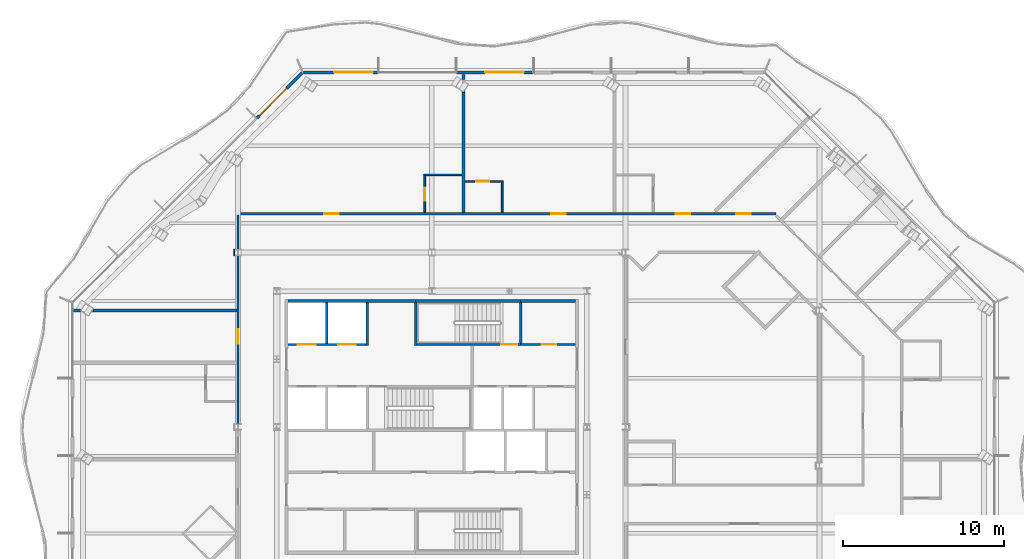
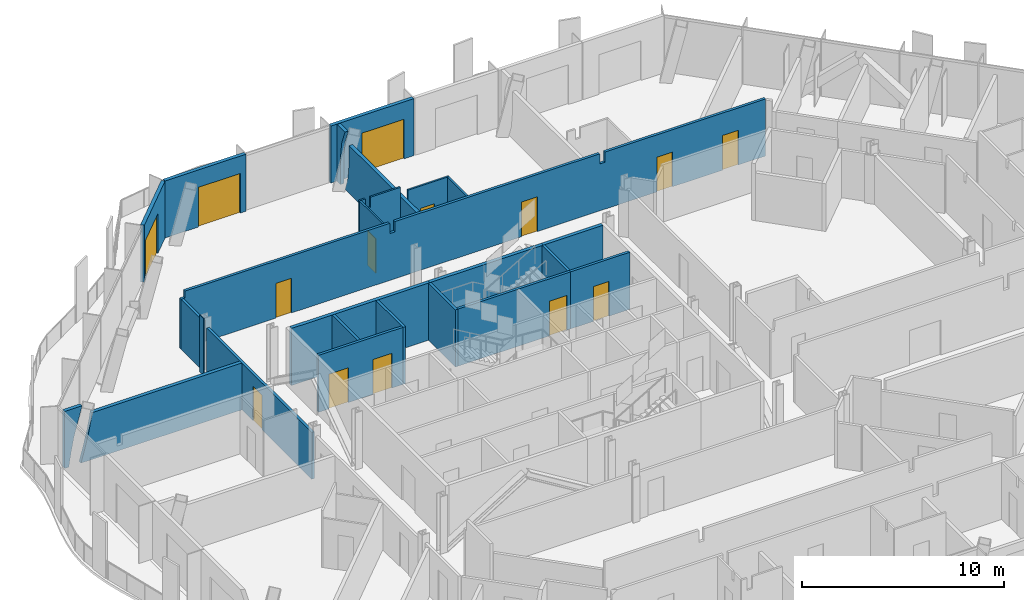
# One storey, part 12 of 19: 25 walls, 14 doors, 14 openings.
"""IFC4 building model written with IfcOpenShell, lengths in metres."""

from ifc_helpers import new_model, si_unit, direction, frame, frame_2d, origin, place, context, subcontext, project, spatial, polyline, rectangle, outline, extrude, material, layer, layer_set, type_object, element, fill, save


model = new_model("IFC4")

# Units and contexts
model_context = context("Model", 3, precision=1e-05, world=origin(), true_north=direction((0.0, 1.0)))
body_context = subcontext(model_context, "Body", "Model", "MODEL_VIEW")
ifc_project = project(units=[si_unit("LENGTHUNIT", "METRE"), si_unit("AREAUNIT", "SQUARE_METRE"), si_unit("VOLUMEUNIT", "CUBIC_METRE"), si_unit("PLANEANGLEUNIT", "RADIAN"), si_unit("MASSUNIT", "GRAM", prefix="KILO")], contexts=[model_context])

# Site, building, storey
site_placement = place(None, origin())
site = spatial("IfcSite", under=ifc_project, at=site_placement, CompositionType="ELEMENT")
building_placement = place(site_placement, origin())
building = spatial("IfcBuilding", under=site, at=building_placement, Name="Cairn Pilgrim Tower", CompositionType="ELEMENT")
storey_placement = place(building_placement, frame((0.0, 0.0, 193.800048828125)))
storey = spatial("IfcBuildingStorey", under=building, at=storey_placement, Name="L49", CompositionType="ELEMENT", Elevation=193.800048828125)

# Wall, opening, door
ifc_material_1 = material(Name="Bronze anodised aluminium insulated sandwich panel with mineral wool fill", Category="aluminium")
ifc_layer_1 = layer(ifc_material_1, 0.199951171875)
ifc_layer_set_1 = layer_set([ifc_layer_1], Name="BRONZE INFILL FRAME WALL 200")
wall_type_1 = type_object("IfcWallType", Name="BRONZE INFILL FRAME WALL 200", PredefinedType="NOTDEFINED", material=ifc_layer_set_1)
wall_1_placement = place(storey_placement, frame((13.469970703125, 24.35009765625, 0.0), z_axis=(0.0, 0.0, 1.0), x_axis=(-1.0, 0.0, 0.0)))
wall_1 = element("IfcWall", 1, at=wall_1_placement, inside=storey, type_object=wall_type_1, Name="Bronze infill frame wall IW-N4", PredefinedType="NOTDEFINED", context=body_context, shape_type="SweptSolid", body=[
    extrude(rectangle(XDim=4.739990234375, YDim=0.199951171875, at=frame_2d((2.3701171875, 0.0))), origin(), (0.0, 0.0, 1.0), 3.449951171875),
])
opening_1_placement = place(wall_1_placement, frame((0.56982421875, 0.0, 0.0)))
opening_1 = element("IfcOpeningElement", 2, at=opening_1_placement, cuts=wall_1, Name="Opening 4911B2", PredefinedType="OPENING", context=body_context, shape_type="SweptSolid", body=[
    extrude(rectangle(XDim=2.39990234375, YDim=2.39990234375, at=frame_2d((1.199951171875, 1.199951171875))), frame((0.0, 0.10986328125, 0.0), z_axis=(0.0, -1.0, 0.0), x_axis=(1.0, 0.0, 0.0)), (0.0, 0.0, 1.0), 0.219970703125),
])
ifc_material_2 = material(Name="Bronze anodised aluminium frame with tinted low-E glass", Category="aluminium")
door_type_1 = type_object("IfcDoorType", Name="BALCONY SLIDING DOOR 2400x2400", OperationType="DOUBLE_DOOR_SLIDING", PredefinedType="DOOR", material=ifc_material_2)
door_1_placement = place(opening_1_placement, origin())
door_1 = element("IfcDoor", 3, at=door_1_placement, inside=storey, type_object=door_type_1, Name="Balcony sliding door 4911B2", OperationType="SINGLE_SWING_LEFT", OverallHeight=2.39990234375, OverallWidth=2.39990234375, PredefinedType="DOOR", context=body_context, shape_type="SweptSolid", body=[
    extrude(rectangle(XDim=2.39990234375, YDim=2.39990234375, at=frame_2d((1.199951171875, 1.199951171875))), frame((0.0, 0.02490234375, 0.0), z_axis=(0.0, -1.0, 0.0), x_axis=(1.0, 0.0, 0.0)), (0.0, 0.0, 1.0), 0.050048828125),
])
fill(opening_1, door_1)

wall_2_placement = place(storey_placement, frame((3.8701171875, 24.35009765625, 0.0), z_axis=(0.0, 0.0, 1.0), x_axis=(-1.0, 0.0, 0.0)))
wall_2 = element("IfcWall", 4, at=wall_2_placement, inside=storey, type_object=wall_type_1, Name="Bronze infill frame wall IW-N6", PredefinedType="NOTDEFINED", context=body_context, shape_type="SweptSolid", body=[
    extrude(rectangle(XDim=4.62646484375, YDim=0.199951171875, at=frame_2d((2.313232421875, 0.0))), origin(), (0.0, 0.0, 1.0), 3.449951171875),
])
opening_2_placement = place(wall_2_placement, frame((0.318115234375, 0.0, 0.0)))
opening_2 = element("IfcOpeningElement", 5, at=opening_2_placement, cuts=wall_2, Name="Opening 4912B", PredefinedType="OPENING", context=body_context, shape_type="SweptSolid", body=[
    extrude(rectangle(XDim=2.39990234375, YDim=2.39990234375, at=frame_2d((1.199951171875, 1.199951171875))), frame((0.0, 0.10986328125, 0.0), z_axis=(0.0, -1.0, 0.0), x_axis=(1.0, 0.0, 0.0)), (0.0, 0.0, 1.0), 0.219970703125),
])
door_2_placement = place(opening_2_placement, origin())
door_2 = element("IfcDoor", 6, at=door_2_placement, inside=storey, type_object=door_type_1, Name="Balcony sliding door 4912B", OperationType="SINGLE_SWING_LEFT", OverallHeight=2.39990234375, OverallWidth=2.39990234375, PredefinedType="DOOR", context=body_context, shape_type="SweptSolid", body=[
    extrude(rectangle(XDim=2.39990234375, YDim=2.39990234375, at=frame_2d((1.199951171875, 1.199951171875))), frame((0.0, 0.02490234375, 0.0), z_axis=(0.0, -1.0, 0.0), x_axis=(1.0, 0.0, 0.0)), (0.0, 0.0, 1.0), 0.050048828125),
])
fill(opening_2, door_2)

wall_3_placement = place(storey_placement, frame((-0.82470703125, 24.32177734375, 0.0), z_axis=(0.0, 0.0, 1.0), x_axis=(-0.707106781187, -0.707106781187, 0.0)))
wall_3 = element("IfcWall", 7, at=wall_3_placement, inside=storey, type_object=wall_type_1, Name="Bronze infill frame wall IW-NW1", PredefinedType="NOTDEFINED", context=body_context, shape_type="SweptSolid", body=[
    extrude(rectangle(XDim=3.961669921875, YDim=0.199951171875, at=frame_2d((1.98095703125, 0.0))), origin(), (0.0, 0.0, 1.0), 3.449951171875),
])
opening_3_placement = place(wall_3_placement, frame((1.361572265625, 0.0, 0.0)))
opening_3 = element("IfcOpeningElement", 8, at=opening_3_placement, cuts=wall_3, Name="Opening 4912B2", PredefinedType="OPENING", context=body_context, shape_type="SweptSolid", body=[
    extrude(rectangle(XDim=2.39990234375, YDim=2.39990234375, at=frame_2d((1.199951171875, 1.199951171875))), frame((0.0, 0.10986328125, 0.0), z_axis=(0.0, -1.0, 0.0), x_axis=(1.0, 0.0, 0.0)), (0.0, 0.0, 1.0), 0.219970703125),
])
door_3_placement = place(opening_3_placement, origin())
door_3 = element("IfcDoor", 9, at=door_3_placement, inside=storey, type_object=door_type_1, Name="Balcony sliding door 4912B2", OperationType="SINGLE_SWING_LEFT", OverallHeight=2.39990234375, OverallWidth=2.39990234375, PredefinedType="DOOR", context=body_context, shape_type="SweptSolid", body=[
    extrude(rectangle(XDim=2.39990234375, YDim=2.39990234375, at=frame_2d((1.199951171875, 1.199951171875))), frame((0.0, 0.02490234375, 0.0), z_axis=(0.0, -1.0, 0.0), x_axis=(1.0, 0.0, 0.0)), (0.0, 0.0, 1.0), 0.050048828125),
])
fill(opening_3, door_3)

# Walls
ifc_material_3 = material(Name="Concrete C32/40", Category="concrete")
ifc_layer_2 = layer(ifc_material_3, 0.199951171875)
ifc_layer_set_2 = layer_set([ifc_layer_2], Name="CORE OUTER WALL 200 EI 120")
wall_type_2 = type_object("IfcWallType", Name="CORE OUTER WALL 200 EI 120", PredefinedType="SOLIDWALL", material=ifc_layer_set_2)
wall_4_placement = place(storey_placement, frame((-1.699951171875, 10.199951171875, 0.0), z_axis=(0.0, 0.0, 1.0), x_axis=(1.0, 0.0, 0.0)))
element("IfcWall", 10, at=wall_4_placement, inside=storey, type_object=wall_type_2, Name="CW:L49:H12-1", PredefinedType="SOLIDWALL", context=body_context, shape_type="SweptSolid", body=[
    extrude(rectangle(XDim=7.89990234375, YDim=0.199951171875, at=frame_2d((3.949951171875, 0.0))), origin(), (0.0, 0.0, 1.0), 3.449951171875),
])
wall_5_placement = place(storey_placement, frame((12.699951171875, 10.199951171875, 0.0), z_axis=(0.0, 0.0, 1.0), x_axis=(1.0, 0.0, 0.0)))
element("IfcWall", 11, at=wall_5_placement, inside=storey, type_object=wall_type_2, Name="CW:L49:H12-3", PredefinedType="SOLIDWALL", context=body_context, shape_type="SweptSolid", body=[
    extrude(rectangle(XDim=3.400146484375, YDim=0.199951171875, at=frame_2d((1.7001953125, 0.0))), origin(), (0.0, 0.0, 1.0), 3.449951171875),
])

# Wall, openings, doors
ifc_layer_3 = layer(ifc_material_3, 0.14990234375)
ifc_layer_set_3 = layer_set([ifc_layer_3], Name="CORE SHAFT WALL 150 EI 120")
wall_type_3 = type_object("IfcWallType", Name="CORE SHAFT WALL 150 EI 120", PredefinedType="SOLIDWALL", material=ifc_layer_set_3)
wall_6_placement = place(storey_placement, frame((-1.699951171875, 7.5, 0.0), z_axis=(0.0, 0.0, 1.0), x_axis=(1.0, 0.0, 0.0)))
wall_6 = element("IfcWall", 12, at=wall_6_placement, inside=storey, type_object=wall_type_3, Name="CW:L49:H10", PredefinedType="SOLIDWALL", context=body_context, shape_type="SweptSolid", body=[
    extrude(rectangle(XDim=4.824951171875, YDim=0.14990234375, at=frame_2d((2.41259765625, 0.0))), origin(), (0.0, 0.0, 1.0), 3.449951171875),
])
opening_4_placement = place(wall_6_placement, frame((0.60009765625, 0.0, 0.0)))
opening_4 = element("IfcOpeningElement", 13, at=opening_4_placement, cuts=wall_6, Name="Opening LD-HR3", PredefinedType="OPENING", context=body_context, shape_type="SweptSolid", body=[
    extrude(rectangle(XDim=1.10009765625, YDim=2.10009765625, at=frame_2d((0.550048828125, 1.050048828125))), frame((0.0, 0.0849609375, 0.0), z_axis=(0.0, -1.0, 0.0), x_axis=(1.0, 0.0, 0.0)), (0.0, 0.0, 1.0), 0.169921875),
])
opening_5_placement = place(wall_6_placement, frame((3.10009765625, 0.0, 0.0)))
opening_5 = element("IfcOpeningElement", 14, at=opening_5_placement, cuts=wall_6, Name="Opening LD-HR4", PredefinedType="OPENING", context=body_context, shape_type="SweptSolid", body=[
    extrude(rectangle(XDim=1.10009765625, YDim=2.10009765625, at=frame_2d((0.550048828125, 1.050048828125))), frame((0.0, 0.0849609375, 0.0), z_axis=(0.0, -1.0, 0.0), x_axis=(1.0, 0.0, 0.0)), (0.0, 0.0, 1.0), 0.169921875),
])
ifc_material_4 = material(Name="Stainless steel", Category="steel")
door_type_2 = type_object("IfcDoorType", Name="LIFT LANDING DOOR 1100x2100", OperationType="DOUBLE_DOOR_SLIDING", PredefinedType="DOOR", material=ifc_material_4)
door_4_placement = place(opening_4_placement, origin())
door_4 = element("IfcDoor", 15, at=door_4_placement, inside=storey, type_object=door_type_2, Name="LANDING DOOR HR3", OperationType="DOUBLE_DOOR_SLIDING", OverallHeight=2.10009765625, OverallWidth=1.10009765625, PredefinedType="DOOR", context=body_context, shape_type="SweptSolid", body=[
    extrude(rectangle(XDim=1.10009765625, YDim=2.10009765625, at=frame_2d((0.550048828125, 1.050048828125))), frame((0.0, 0.02490234375, 0.0), z_axis=(0.0, -1.0, 0.0), x_axis=(1.0, 0.0, 0.0)), (0.0, 0.0, 1.0), 0.050048828125),
])
fill(opening_4, door_4)
door_5_placement = place(opening_5_placement, origin())
door_5 = element("IfcDoor", 16, at=door_5_placement, inside=storey, type_object=door_type_2, Name="LANDING DOOR HR4", OperationType="DOUBLE_DOOR_SLIDING", OverallHeight=2.10009765625, OverallWidth=1.10009765625, PredefinedType="DOOR", context=body_context, shape_type="SweptSolid", body=[
    extrude(rectangle(XDim=1.10009765625, YDim=2.10009765625, at=frame_2d((0.550048828125, 1.050048828125))), frame((0.0, 0.02490234375, 0.0), z_axis=(0.0, -1.0, 0.0), x_axis=(1.0, 0.0, 0.0)), (0.0, 0.0, 1.0), 0.050048828125),
])
fill(opening_5, door_5)

# Wall, opening, door
wall_7_placement = place(storey_placement, frame((12.699951171875, 7.5, 0.0), z_axis=(0.0, 0.0, 1.0), x_axis=(1.0, 0.0, 0.0)))
wall_7 = element("IfcWall", 17, at=wall_7_placement, inside=storey, type_object=wall_type_3, Name="CW:L49:H11-2", PredefinedType="SOLIDWALL", context=body_context, shape_type="SweptSolid", body=[
    extrude(rectangle(XDim=3.400146484375, YDim=0.14990234375, at=frame_2d((1.7001953125, 0.0))), origin(), (0.0, 0.0, 1.0), 3.449951171875),
])
opening_6_placement = place(wall_7_placement, frame((1.300048828125, 0.0, 0.0)))
opening_6 = element("IfcOpeningElement", 18, at=opening_6_placement, cuts=wall_7, Name="Opening RD-R4E", PredefinedType="OPENING", context=body_context, shape_type="SweptSolid", body=[
    extrude(rectangle(XDim=0.89990234375, YDim=2.10009765625, at=frame_2d((0.449951171875, 1.050048828125))), frame((0.0, 0.0849609375, 0.0), z_axis=(0.0, -1.0, 0.0), x_axis=(1.0, 0.0, 0.0)), (0.0, 0.0, 1.0), 0.169921875),
])
ifc_material_5 = material(Name="Painted steel", Category="steel")
door_type_3 = type_object("IfcDoorType", Name="SERVICE ROOM DOOR 900x2100", OperationType="SINGLE_SWING_LEFT", PredefinedType="DOOR", material=ifc_material_5)
door_6_placement = place(opening_6_placement, origin())
door_6 = element("IfcDoor", 19, at=door_6_placement, inside=storey, type_object=door_type_3, Name="RD-R4E", OperationType="SINGLE_SWING_RIGHT", OverallHeight=2.10009765625, OverallWidth=0.89990234375, PredefinedType="DOOR", context=body_context, shape_type="SweptSolid", body=[
    extrude(rectangle(XDim=0.89990234375, YDim=2.10009765625, at=frame_2d((0.449951171875, 1.050048828125))), frame((0.0, 0.02490234375, 0.0), z_axis=(0.0, -1.0, 0.0), x_axis=(1.0, 0.0, 0.0)), (0.0, 0.0, 1.0), 0.050048828125),
])
fill(opening_6, door_6)

# Walls
wall_8_placement = place(storey_placement, frame((0.699951171875, 7.574951171875, 0.0), z_axis=(0.0, 0.0, 1.0), x_axis=(0.0, 1.0, 0.0)))
element("IfcWall", 20, at=wall_8_placement, inside=storey, type_object=wall_type_3, Name="CW:L49:V15", PredefinedType="SOLIDWALL", context=body_context, shape_type="SweptSolid", body=[
    extrude(rectangle(XDim=2.525146484375, YDim=0.14990234375, at=frame_2d((1.2626953125, 0.0))), origin(), (0.0, 0.0, 1.0), 3.449951171875),
])
wall_9_placement = place(storey_placement, frame((3.199951171875, 7.425048828125, 0.0), z_axis=(0.0, 0.0, 1.0), x_axis=(0.0, 1.0, 0.0)))
element("IfcWall", 21, at=wall_9_placement, inside=storey, type_object=wall_type_3, Name="CW:L49:V18", PredefinedType="SOLIDWALL", context=body_context, shape_type="SweptSolid", body=[
    extrude(rectangle(XDim=2.675048828125, YDim=0.14990234375, at=frame_2d((1.33740234375, 0.0))), origin(), (0.0, 0.0, 1.0), 3.449951171875),
])

# Wall, opening, door
ifc_material_6 = material(Name="Gypsum partition")
ifc_layer_4 = layer(ifc_material_6, 0.10009765625)
ifc_layer_set_4 = layer_set([ifc_layer_4], Name="PARTITION 100 DRYWALL")
wall_type_4 = type_object("IfcWallType", Name="PARTITION 100 DRYWALL", PredefinedType="PARTITIONING", material=ifc_layer_set_4)
wall_10_placement = place(storey_placement, frame((6.761962890625, 15.675048828125, 0.0), z_axis=(0.0, 0.0, 1.0), x_axis=(0.0, 1.0, 0.0)))
wall_10 = element("IfcWall", 22, at=wall_10_placement, inside=storey, type_object=wall_type_4, Name="PARTITION W086", PredefinedType="PARTITIONING", context=body_context, shape_type="SweptSolid", body=[
    extrude(rectangle(XDim=2.27490234375, YDim=0.10009765625, at=frame_2d((1.137451171875, 0.0))), origin(), (0.0, 0.0, 1.0), 3.449951171875),
])
opening_7_placement = place(wall_10_placement, frame((0.72509765625, 0.0, 0.0)))
opening_7 = element("IfcOpeningElement", 23, at=opening_7_placement, cuts=wall_10, Name="Opening 4912A", PredefinedType="OPENING", context=body_context, shape_type="SweptSolid", body=[
    extrude(rectangle(XDim=0.800048828125, YDim=2.10009765625, at=frame_2d((0.39990234375, 1.050048828125))), frame((0.0, 0.06005859375, 0.0), z_axis=(0.0, -1.0, 0.0), x_axis=(1.0, 0.0, 0.0)), (0.0, 0.0, 1.0), 0.1201171875),
])
ifc_material_7 = material(Name="Timber door leaf", Category="wood")
door_type_4 = type_object("IfcDoorType", Name="WC DOOR 800x2100", OperationType="NOTDEFINED", PredefinedType="DOOR", material=ifc_material_7)
door_7_placement = place(opening_7_placement, origin())
door_7 = element("IfcDoor", 24, at=door_7_placement, inside=storey, type_object=door_type_4, Name="DOOR 4912A", OperationType="SINGLE_SWING_LEFT", OverallHeight=2.10009765625, OverallWidth=0.800048828125, PredefinedType="DOOR", context=body_context, shape_type="SweptSolid", body=[
    extrude(rectangle(XDim=0.800048828125, YDim=2.10009765625, at=frame_2d((0.39990234375, 1.050048828125))), frame((0.0, 0.02490234375, 0.0), z_axis=(0.0, -1.0, 0.0), x_axis=(1.0, 0.0, 0.0)), (0.0, 0.0, 1.0), 0.050048828125),
])
fill(opening_7, door_7)

# Wall
wall_11_placement = place(storey_placement, frame((11.56201171875, 15.675048828125, 0.0), z_axis=(0.0, 0.0, 1.0), x_axis=(0.0, 1.0, 0.0)))
element("IfcWall", 25, at=wall_11_placement, inside=storey, type_object=wall_type_4, Name="PARTITION W088", PredefinedType="PARTITIONING", context=body_context, shape_type="SweptSolid", body=[
    extrude(rectangle(XDim=1.875, YDim=0.10009765625, at=frame_2d((0.9375, 0.0))), origin(), (0.0, 0.0, 1.0), 3.449951171875),
])

# Wall, opening, door
wall_12_placement = place(storey_placement, frame((9.261962890625, 17.60009765625, 0.0), z_axis=(0.0, 0.0, 1.0), x_axis=(1.0, 0.0, 0.0)))
wall_12 = element("IfcWall", 26, at=wall_12_placement, inside=storey, type_object=wall_type_4, Name="PARTITION W092", PredefinedType="PARTITIONING", context=body_context, shape_type="SweptSolid", body=[
    extrude(rectangle(XDim=2.35009765625, YDim=0.10009765625, at=frame_2d((1.175048828125, 0.0))), origin(), (0.0, 0.0, 1.0), 3.449951171875),
])
opening_8_placement = place(wall_12_placement, frame((0.699951171875, 0.0, 0.0)))
opening_8 = element("IfcOpeningElement", 27, at=opening_8_placement, cuts=wall_12, Name="Opening 4911A", PredefinedType="OPENING", context=body_context, shape_type="SweptSolid", body=[
    extrude(rectangle(XDim=0.800048828125, YDim=2.10009765625, at=frame_2d((0.39990234375, 1.050048828125))), frame((0.0, 0.06005859375, 0.0), z_axis=(0.0, -1.0, 0.0), x_axis=(1.0, 0.0, 0.0)), (0.0, 0.0, 1.0), 0.1201171875),
])
door_8_placement = place(opening_8_placement, origin())
door_8 = element("IfcDoor", 28, at=door_8_placement, inside=storey, type_object=door_type_4, Name="DOOR 4911A", OperationType="SINGLE_SWING_LEFT", OverallHeight=2.10009765625, OverallWidth=0.800048828125, PredefinedType="DOOR", context=body_context, shape_type="SweptSolid", body=[
    extrude(rectangle(XDim=0.800048828125, YDim=2.10009765625, at=frame_2d((0.39990234375, 1.050048828125))), frame((0.0, 0.02490234375, 0.0), z_axis=(0.0, -1.0, 0.0), x_axis=(1.0, 0.0, 0.0)), (0.0, 0.0, 1.0), 0.050048828125),
])
fill(opening_8, door_8)

# Wall
wall_13_placement = place(storey_placement, frame((6.7119140625, 18.0, 0.0), z_axis=(0.0, 0.0, 1.0), x_axis=(1.0, 0.0, 0.0)))
element("IfcWall", 29, at=wall_13_placement, inside=storey, type_object=wall_type_4, Name="PARTITION W093", PredefinedType="PARTITIONING", context=body_context, shape_type="SweptSolid", body=[
    extrude(outline(polyline([(0.0, 0.0), (2.35009765625, 0.0), (2.35009765625, 3.449951171875), (0.637939453125, 3.449951171875), (0.635986328125, 2.829833984375), (0.337890625, 2.829833984375), (0.3359375, 3.449951171875), (0.0, 3.449951171875), (0.0, 0.0)])), frame((0.0, 0.050048828125, 0.0), z_axis=(0.0, -1.0, 0.0), x_axis=(1.0, 0.0, 0.0)), (0.0, 0.0, 1.0), 0.10009765625),
])

# Wall, opening, door
ifc_layer_5 = layer(ifc_material_6, 0.14990234375)
ifc_layer_set_5 = layer_set([ifc_layer_5], Name="PARTITION 150 DRYWALL EI 60")
wall_type_5 = type_object("IfcWallType", Name="PARTITION 150 DRYWALL EI 60", PredefinedType="PARTITIONING", material=ifc_layer_set_5)
wall_14_placement = place(storey_placement, frame((-4.800048828125, 2.596435546875, 0.0), z_axis=(0.0, 0.0, 1.0), x_axis=(0.0, 1.0, 0.0)))
wall_14 = element("IfcWall", 30, at=wall_14_placement, inside=storey, type_object=wall_type_5, Name="PARTITION W058", PredefinedType="PARTITIONING", context=body_context, shape_type="SweptSolid", body=[
    extrude(rectangle(XDim=10.406982421875, YDim=0.14990234375, at=frame_2d((5.20361328125, 0.0))), origin(), (0.0, 0.0, 1.0), 2.829833984375),
])
opening_9_placement = place(wall_14_placement, frame((4.94140625, 0.0, 0.0)))
opening_9 = element("IfcOpeningElement", 31, at=opening_9_placement, cuts=wall_14, Name="Opening 4913", PredefinedType="OPENING", context=body_context, shape_type="SweptSolid", body=[
    extrude(rectangle(XDim=0.89990234375, YDim=2.10009765625, at=frame_2d((0.449951171875, 1.050048828125))), frame((0.0, 0.0849609375, 0.0), z_axis=(0.0, -1.0, 0.0), x_axis=(1.0, 0.0, 0.0)), (0.0, 0.0, 1.0), 0.169921875),
])
door_type_5 = type_object("IfcDoorType", Name="ROOM DOOR 900x2100 FD30S", OperationType="NOTDEFINED", PredefinedType="DOOR", material=ifc_material_7)
door_9_placement = place(opening_9_placement, origin())
door_9 = element("IfcDoor", 32, at=door_9_placement, inside=storey, type_object=door_type_5, Name="DOOR 4913", OperationType="SINGLE_SWING_LEFT", OverallHeight=2.10009765625, OverallWidth=0.89990234375, PredefinedType="DOOR", context=body_context, shape_type="SweptSolid", body=[
    extrude(rectangle(XDim=0.89990234375, YDim=2.10009765625, at=frame_2d((0.449951171875, 1.050048828125))), frame((0.0, 0.02490234375, 0.0), z_axis=(0.0, -1.0, 0.0), x_axis=(1.0, 0.0, 0.0)), (0.0, 0.0, 1.0), 0.050048828125),
])
fill(opening_9, door_9)

# Wall
wall_15_placement = place(storey_placement, frame((-4.800048828125, 13.396484375, 0.0), z_axis=(0.0, 0.0, 1.0), x_axis=(0.0, 1.0, 0.0)))
element("IfcWall", 33, at=wall_15_placement, inside=storey, type_object=wall_type_5, Name="PARTITION W082", PredefinedType="PARTITIONING", context=body_context, shape_type="SweptSolid", body=[
    extrude(rectangle(XDim=2.12841796875, YDim=0.14990234375, at=frame_2d((1.064208984375, 0.0))), origin(), (0.0, 0.0, 1.0), 3.030029296875),
])

# Wall, openings, doors
wall_16_placement = place(storey_placement, frame((-4.875, 15.60009765625, 0.0), z_axis=(0.0, 0.0, 1.0), x_axis=(1.0, 0.0, 0.0)))
wall_16 = element("IfcWall", 34, at=wall_16_placement, inside=storey, type_object=wall_type_5, Name="PARTITION W085", PredefinedType="PARTITIONING", context=body_context, shape_type="SweptSolid", body=[
    extrude(outline(polyline([(0.0, 0.0), (33.395751953125, 0.0), (33.395751953125, 3.449951171875), (24.22509765625, 3.449951171875), (24.222900390625, 2.829833984375), (23.925048828125, 2.829833984375), (23.923095703125, 3.449951171875), (12.22509765625, 3.449951171875), (12.222900390625, 2.829833984375), (11.925048828125, 2.829833984375), (11.923095703125, 3.449951171875), (0.22509765625, 3.449951171875), (0.222900390625, 3.030029296875), (0.0, 3.030029296875), (0.0, 0.0)])), frame((0.0, 0.074951171875, 0.0), z_axis=(0.0, -1.0, 0.0), x_axis=(1.0, 0.0, 0.0)), (0.0, 0.0, 1.0), 0.14990234375),
])
opening_10_placement = place(wall_16_placement, frame((30.93896484375, 0.0, 0.0)))
opening_10 = element("IfcOpeningElement", 35, at=opening_10_placement, cuts=wall_16, Name="Opening 4909", PredefinedType="OPENING", context=body_context, shape_type="SweptSolid", body=[
    extrude(rectangle(XDim=0.89990234375, YDim=2.10009765625, at=frame_2d((0.449951171875, 1.050048828125))), frame((0.0, 0.0849609375, 0.0), z_axis=(0.0, -1.0, 0.0), x_axis=(1.0, 0.0, 0.0)), (0.0, 0.0, 1.0), 0.169921875),
])
opening_11_placement = place(wall_16_placement, frame((27.18798828125, 0.0, 0.0)))
opening_11 = element("IfcOpeningElement", 36, at=opening_11_placement, cuts=wall_16, Name="Opening 4910", PredefinedType="OPENING", context=body_context, shape_type="SweptSolid", body=[
    extrude(rectangle(XDim=0.89990234375, YDim=2.10009765625, at=frame_2d((0.449951171875, 1.050048828125))), frame((0.0, 0.0849609375, 0.0), z_axis=(0.0, -1.0, 0.0), x_axis=(1.0, 0.0, 0.0)), (0.0, 0.0, 1.0), 0.169921875),
])
opening_12_placement = place(wall_16_placement, frame((19.462890625, 0.0, 0.0)))
opening_12 = element("IfcOpeningElement", 37, at=opening_12_placement, cuts=wall_16, Name="Opening 4911", PredefinedType="OPENING", context=body_context, shape_type="SweptSolid", body=[
    extrude(rectangle(XDim=0.89990234375, YDim=2.10009765625, at=frame_2d((0.449951171875, 1.050048828125))), frame((0.0, 0.0849609375, 0.0), z_axis=(0.0, -1.0, 0.0), x_axis=(1.0, 0.0, 0.0)), (0.0, 0.0, 1.0), 0.169921875),
])
opening_13_placement = place(wall_16_placement, frame((5.406005859375, 0.0, 0.0)))
opening_13 = element("IfcOpeningElement", 38, at=opening_13_placement, cuts=wall_16, Name="Opening 4912", PredefinedType="OPENING", context=body_context, shape_type="SweptSolid", body=[
    extrude(rectangle(XDim=0.89990234375, YDim=2.10009765625, at=frame_2d((0.449951171875, 1.050048828125))), frame((0.0, 0.0849609375, 0.0), z_axis=(0.0, -1.0, 0.0), x_axis=(1.0, 0.0, 0.0)), (0.0, 0.0, 1.0), 0.169921875),
])
door_10_placement = place(opening_11_placement, origin())
door_10 = element("IfcDoor", 39, at=door_10_placement, inside=storey, type_object=door_type_5, Name="DOOR 4910", OperationType="SINGLE_SWING_LEFT", OverallHeight=2.10009765625, OverallWidth=0.89990234375, PredefinedType="DOOR", context=body_context, shape_type="SweptSolid", body=[
    extrude(rectangle(XDim=0.89990234375, YDim=2.10009765625, at=frame_2d((0.449951171875, 1.050048828125))), frame((0.0, 0.02490234375, 0.0), z_axis=(0.0, -1.0, 0.0), x_axis=(1.0, 0.0, 0.0)), (0.0, 0.0, 1.0), 0.050048828125),
])
fill(opening_11, door_10)
door_11_placement = place(opening_12_placement, origin())
door_11 = element("IfcDoor", 40, at=door_11_placement, inside=storey, type_object=door_type_5, Name="DOOR 4911", OperationType="SINGLE_SWING_LEFT", OverallHeight=2.10009765625, OverallWidth=0.89990234375, PredefinedType="DOOR", context=body_context, shape_type="SweptSolid", body=[
    extrude(rectangle(XDim=0.89990234375, YDim=2.10009765625, at=frame_2d((0.449951171875, 1.050048828125))), frame((0.0, 0.02490234375, 0.0), z_axis=(0.0, -1.0, 0.0), x_axis=(1.0, 0.0, 0.0)), (0.0, 0.0, 1.0), 0.050048828125),
])
fill(opening_12, door_11)
door_12_placement = place(opening_13_placement, origin())
door_12 = element("IfcDoor", 41, at=door_12_placement, inside=storey, type_object=door_type_5, Name="DOOR 4912", OperationType="SINGLE_SWING_LEFT", OverallHeight=2.10009765625, OverallWidth=0.89990234375, PredefinedType="DOOR", context=body_context, shape_type="SweptSolid", body=[
    extrude(rectangle(XDim=0.89990234375, YDim=2.10009765625, at=frame_2d((0.449951171875, 1.050048828125))), frame((0.0, 0.02490234375, 0.0), z_axis=(0.0, -1.0, 0.0), x_axis=(1.0, 0.0, 0.0)), (0.0, 0.0, 1.0), 0.050048828125),
])
fill(opening_13, door_12)
door_type_6 = type_object("IfcDoorType", Name="SERVICE DOOR 900x2100 FD30S", OperationType="NOTDEFINED", PredefinedType="DOOR", material=ifc_material_7)
door_13_placement = place(opening_10_placement, origin())
door_13 = element("IfcDoor", 42, at=door_13_placement, inside=storey, type_object=door_type_6, Name="DOOR 4909", OperationType="SINGLE_SWING_RIGHT", OverallHeight=2.10009765625, OverallWidth=0.89990234375, PredefinedType="DOOR", context=body_context, shape_type="SweptSolid", body=[
    extrude(rectangle(XDim=0.89990234375, YDim=2.10009765625, at=frame_2d((0.449951171875, 1.050048828125))), frame((0.0, 0.02490234375, 0.0), z_axis=(0.0, -1.0, 0.0), x_axis=(1.0, 0.0, 0.0)), (0.0, 0.0, 1.0), 0.050048828125),
])
fill(opening_10, door_13)

# Walls
ifc_layer_6 = layer(ifc_material_6, 0.050048828125)
ifc_layer_set_6 = layer_set([ifc_layer_6], Name="PARTITION 50 DRYWALL EI 60")
wall_type_6 = type_object("IfcWallType", Name="PARTITION 50 DRYWALL EI 60", PredefinedType="PARTITIONING", material=ifc_layer_set_6)
wall_17_placement = place(storey_placement, frame((-5.0244140625, 13.00341796875, 0.0), z_axis=(0.0, 0.0, 1.0), x_axis=(0.0, 1.0, 0.0)))
element("IfcWall", 43, at=wall_17_placement, inside=storey, type_object=wall_type_6, Name="COLUMN CASING WC11", PredefinedType="PARTITIONING", context=body_context, shape_type="SweptSolid", body=[
    extrude(rectangle(XDim=0.39306640625, YDim=0.050048828125, at=frame_2d((0.196533203125, 0.0))), origin(), (0.0, 0.0, 1.0), 3.449951171875),
])
ifc_layer_7 = layer(ifc_material_6, 0.199951171875)
ifc_layer_set_7 = layer_set([ifc_layer_7], Name="SHAFT WALL 200 GYPSUM EI 60")
wall_type_7 = type_object("IfcWallType", Name="SHAFT WALL 200 GYPSUM EI 60", PredefinedType="PARTITIONING", material=ifc_layer_set_7)
wall_18_placement = place(storey_placement, frame((-15.0029296875, 9.612060546875, 0.0), z_axis=(0.0, 0.0, 1.0), x_axis=(1.0, 0.0, 0.0)))
element("IfcWall", 44, at=wall_18_placement, inside=storey, type_object=wall_type_7, Name="PARTITION W071", PredefinedType="PARTITIONING", context=body_context, shape_type="SweptSolid", body=[
    extrude(outline(polyline([(0.0, 0.0), (0.235107421875, 0.0), (0.37060546875, 0.862548828125), (0.5322265625, 1.724853515625), (0.7646484375, 2.58740234375), (0.998291015625, 3.449951171875), (0.0, 3.449951171875), (0.0, 2.58740234375), (0.0, 1.724853515625), (0.0, 0.862548828125), (0.0, 0.0)])), frame((0.0, 0.10009765625, 0.0), z_axis=(0.0, -1.0, 0.0), x_axis=(1.0, 0.0, 0.0)), (0.0, 0.0, 1.0), 0.199951171875),
])
wall_19_placement = place(storey_placement, frame((-14.066650390625, 9.612060546875, 0.0), z_axis=(0.0, 0.0, 1.0), x_axis=(1.0, 0.0, 0.0)))
element("IfcWall", 45, at=wall_19_placement, inside=storey, type_object=wall_type_7, Name="PARTITION W072", PredefinedType="PARTITIONING", context=body_context, shape_type="SweptSolid", body=[
    extrude(outline(polyline([(0.0, 0.0), (9.191650390625, 0.0), (9.191650390625, 0.862548828125), (9.191650390625, 1.724853515625), (9.191650390625, 2.58740234375), (9.191650390625, 2.829833984375), (0.6240234375, 2.829833984375), (0.60205078125, 2.58740234375), (0.4404296875, 1.724853515625), (0.233642578125, 0.862548828125), (0.0, 0.0)])), frame((0.0, 0.10009765625, 0.0), z_axis=(0.0, -1.0, 0.0), x_axis=(1.0, 0.0, 0.0)), (0.0, 0.0, 1.0), 0.199951171875),
])
wall_20_placement = place(storey_placement, frame((9.162109375, 15.675048828125, 0.0), z_axis=(0.0, 0.0, 1.0), x_axis=(0.0, 1.0, 0.0)))
element("IfcWall", 46, at=wall_20_placement, inside=storey, type_object=wall_type_7, Name="PARTITION W087", PredefinedType="PARTITIONING", context=body_context, shape_type="SweptSolid", body=[
    extrude(outline(polyline([(0.0, 0.0), (7.76611328125, 0.0), (7.478271484375, 0.862548828125), (7.37255859375, 1.724853515625), (7.37255859375, 2.58740234375), (7.37255859375, 2.8798828125), (0.0, 2.8798828125), (0.0, 2.58740234375), (0.0, 1.724853515625), (0.0, 0.862548828125), (0.0, 0.0)])), frame((0.0, 0.10009765625, 0.0), z_axis=(0.0, -1.0, 0.0), x_axis=(1.0, 0.0, 0.0)), (0.0, 0.0, 1.0), 0.199951171875),
])
wall_21_placement = place(storey_placement, frame((9.162109375, 23.448486328125, 0.0), z_axis=(0.0, 0.0, 1.0), x_axis=(0.0, 1.0, 0.0)))
element("IfcWall", 47, at=wall_21_placement, inside=storey, type_object=wall_type_7, Name="PARTITION W095", PredefinedType="PARTITIONING", context=body_context, shape_type="SweptSolid", body=[
    extrude(outline(polyline([(0.45361328125, 0.0), (0.771484375, 0.0), (0.771484375, 0.862548828125), (0.771484375, 1.724853515625), (0.771484375, 2.58740234375), (0.771484375, 3.449951171875), (0.0, 3.449951171875), (0.32958984375, 2.58740234375), (0.4375, 1.724853515625), (0.45361328125, 0.862548828125), (0.45361328125, 0.0)])), frame((0.0, 0.10009765625, 0.0), z_axis=(0.0, -1.0, 0.0), x_axis=(1.0, 0.0, 0.0)), (0.0, 0.0, 1.0), 0.199951171875),
])

# Wall, opening, door
ifc_material_8 = material(Name="Concrete C35/45", Category="concrete")
ifc_layer_8 = layer(ifc_material_8, 0.14990234375)
ifc_layer_set_8 = layer_set([ifc_layer_8], Name="STAIR SHAFT WALL 150 EI 120")
wall_type_8 = type_object("IfcWallType", Name="STAIR SHAFT WALL 150 EI 120", PredefinedType="SOLIDWALL", material=ifc_layer_set_8)
wall_22_placement = place(storey_placement, frame((6.27490234375, 7.5, 0.0), z_axis=(0.0, 0.0, 1.0), x_axis=(1.0, 0.0, 0.0)))
wall_22 = element("IfcWall", 48, at=wall_22_placement, inside=storey, type_object=wall_type_8, Name="CW:L49:H11-1", PredefinedType="SOLIDWALL", context=body_context, shape_type="SweptSolid", body=[
    extrude(rectangle(XDim=6.425048828125, YDim=0.14990234375, at=frame_2d((3.21240234375, 0.0))), origin(), (0.0, 0.0, 1.0), 3.449951171875),
])
opening_14_placement = place(wall_22_placement, frame((5.22509765625, 0.0, 0.0)))
opening_14 = element("IfcOpeningElement", 49, at=opening_14_placement, cuts=wall_22, Name="Opening SD-C", PredefinedType="OPENING", context=body_context, shape_type="SweptSolid", body=[
    extrude(rectangle(XDim=1.0, YDim=2.10009765625, at=frame_2d((0.5, 1.050048828125))), frame((0.0, 0.0849609375, 0.0), z_axis=(0.0, -1.0, 0.0), x_axis=(1.0, 0.0, 0.0)), (0.0, 0.0, 1.0), 0.169921875),
])
door_type_7 = type_object("IfcDoorType", Name="STAIR DOOR FD60S 1000x2100", OperationType="SINGLE_SWING_LEFT", PredefinedType="DOOR", material=ifc_material_5)
door_14_placement = place(opening_14_placement, origin())
door_14 = element("IfcDoor", 50, at=door_14_placement, inside=storey, type_object=door_type_7, Name="SD-C", OperationType="SINGLE_SWING_LEFT", OverallHeight=2.10009765625, OverallWidth=1.0, PredefinedType="DOOR", context=body_context, shape_type="SweptSolid", body=[
    extrude(rectangle(XDim=1.0, YDim=2.10009765625, at=frame_2d((0.5, 1.050048828125))), frame((0.0, 0.02490234375, 0.0), z_axis=(0.0, -1.0, 0.0), x_axis=(1.0, 0.0, 0.0)), (0.0, 0.0, 1.0), 0.050048828125),
])
fill(opening_14, door_14)

# Walls
wall_23_placement = place(storey_placement, frame((6.199951171875, 7.425048828125, 0.0), z_axis=(0.0, 0.0, 1.0), x_axis=(0.0, 1.0, 0.0)))
element("IfcWall", 51, at=wall_23_placement, inside=storey, type_object=wall_type_8, Name="CW:L49:V21", PredefinedType="SOLIDWALL", context=body_context, shape_type="SweptSolid", body=[
    extrude(rectangle(XDim=2.675048828125, YDim=0.14990234375, at=frame_2d((1.33740234375, 0.0))), origin(), (0.0, 0.0, 1.0), 3.449951171875),
])
wall_24_placement = place(storey_placement, frame((12.699951171875, 7.574951171875, 0.0), z_axis=(0.0, 0.0, 1.0), x_axis=(0.0, 1.0, 0.0)))
element("IfcWall", 52, at=wall_24_placement, inside=storey, type_object=wall_type_8, Name="CW:L49:V28", PredefinedType="SOLIDWALL", context=body_context, shape_type="SweptSolid", body=[
    extrude(rectangle(XDim=2.525146484375, YDim=0.14990234375, at=frame_2d((1.2626953125, 0.0))), origin(), (0.0, 0.0, 1.0), 3.449951171875),
])
ifc_layer_9 = layer(ifc_material_8, 0.199951171875)
ifc_layer_set_9 = layer_set([ifc_layer_9], Name="STAIR SHAFT WALL 200 EI 120")
wall_type_9 = type_object("IfcWallType", Name="STAIR SHAFT WALL 200 EI 120", PredefinedType="SOLIDWALL", material=ifc_layer_set_9)
wall_25_placement = place(storey_placement, frame((6.199951171875, 10.199951171875, 0.0), z_axis=(0.0, 0.0, 1.0), x_axis=(1.0, 0.0, 0.0)))
element("IfcWall", 53, at=wall_25_placement, inside=storey, type_object=wall_type_9, Name="CW:L49:H12-2", PredefinedType="SOLIDWALL", context=body_context, shape_type="SweptSolid", body=[
    extrude(rectangle(XDim=6.5, YDim=0.199951171875, at=frame_2d((3.25, 0.0))), origin(), (0.0, 0.0, 1.0), 3.449951171875),
])

save(model, "model.ifc")
